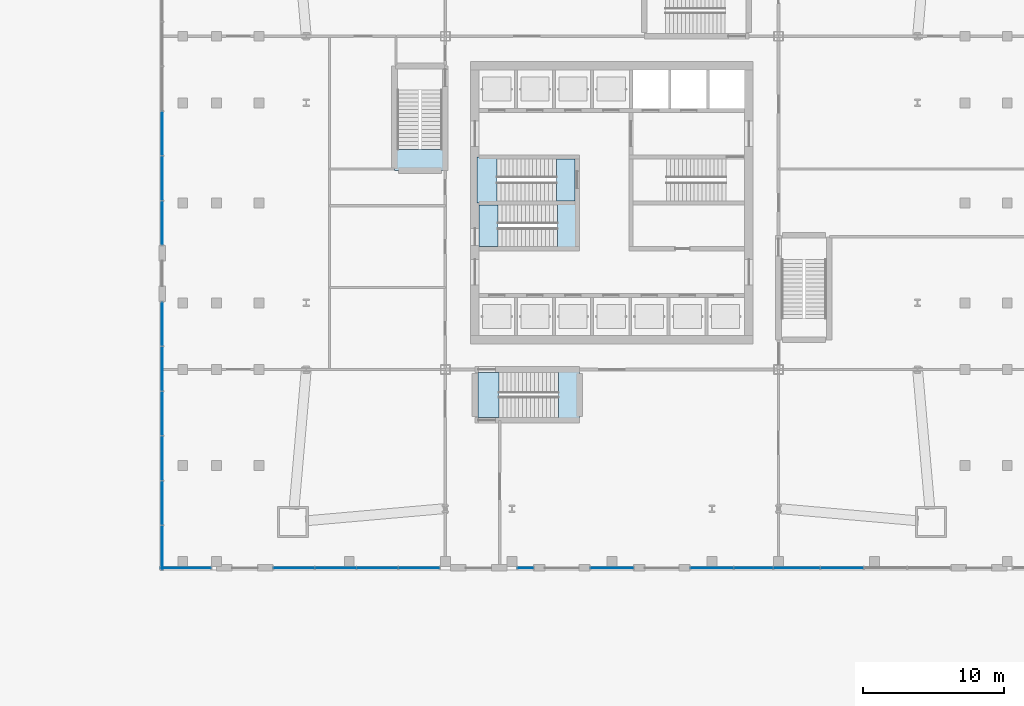
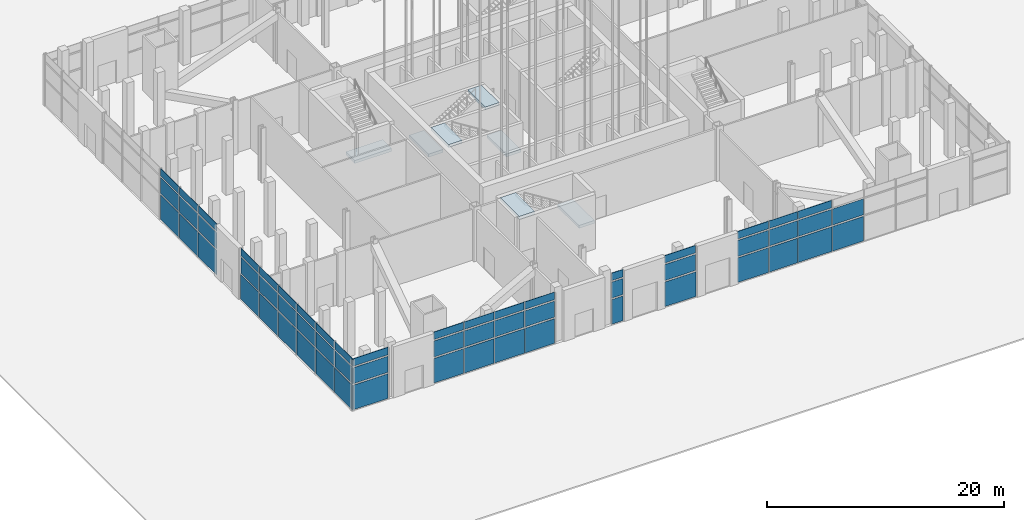
# One storey, part 9 of 27: 59 plates, 7 slabs, 11 elements without a shape of their own.
"""IFC4 building model written with IfcOpenShell, lengths in metres."""

from ifc_helpers import new_model, si_unit, direction, frame, origin, origin_2d, place, context, subcontext, project, spatial, polyline, rectangle, outline, extrude, material, layer, layer_set, type_object, element, aggregate, save


model = new_model("IFC4")

# Units and contexts
model_context = context("Model", 3, precision=1e-05, world=origin(), true_north=direction((0.0, 1.0)))
body_context = subcontext(model_context, "Body", "Model", "MODEL_VIEW")
ifc_project = project(units=[si_unit("LENGTHUNIT", "METRE"), si_unit("AREAUNIT", "SQUARE_METRE"), si_unit("VOLUMEUNIT", "CUBIC_METRE"), si_unit("PLANEANGLEUNIT", "RADIAN"), si_unit("MASSUNIT", "GRAM", prefix="KILO")], contexts=[model_context])

# Site, building, storey
site_placement = place(None, origin())
site = spatial("IfcSite", under=ifc_project, at=site_placement, CompositionType="ELEMENT")
building_placement = place(site_placement, origin())
building = spatial("IfcBuilding", under=site, at=building_placement, Name="Turquesa Mirador Hotel Tower", CompositionType="ELEMENT")
storey_placement = place(building_placement, origin())
storey = spatial("IfcBuildingStorey", under=building, at=storey_placement, Name="L00", CompositionType="ELEMENT", Elevation=0.0)

# Curtain wall, plate
ifc_material_1 = material(Name="Aluminium extrusion", Category="aluminium")
curtain_wall_type = type_object("IfcCurtainWallType", Name="CW-1 LOBBY CURTAIN WALL", PredefinedType="USERDEFINED", material=ifc_material_1)
curtain_wall_1_placement = place(storey_placement, origin())
curtain_wall_1 = element("IfcCurtainWall", 1, at=curtain_wall_1_placement, inside=storey, type_object=curtain_wall_type, Name="CW-1 LOBBY CURTAIN WALL L00", ObjectType="CURTAIN WALL", PredefinedType="USERDEFINED")
ifc_material_2 = material(Name="Ceramic-printed spandrel glass on an insulated back pan", Category="glass")
ifc_layer_1 = layer(ifc_material_2, 0.050048828125)
ifc_layer_set_1 = layer_set([ifc_layer_1], Name="CW PANEL SPANDREL CERAMIC")
plate_type_1 = type_object("IfcPlateType", Name="CW PANEL SPANDREL CERAMIC", PredefinedType="CURTAIN_PANEL", material=ifc_layer_set_1)
plate_1_placement = place(storey_placement, frame((24.807861328125, 19.14990234375, 0.0), z_axis=(0.0, 0.0, 1.0), x_axis=(1.0, 0.0, 0.0)))
plate_1 = element("IfcPlate", 2, at=plate_1_placement, type_object=plate_type_1, Name="Panel", PredefinedType="CURTAIN_PANEL", context=body_context, shape_type="SweptSolid", body=[
    extrude(rectangle(XDim=3.550537109375, YDim=0.050048828125, at=origin_2d()), origin(), (0.0, 0.0, 1.0), 2.52490234375),
])

# Curtain wall, plates
curtain_wall_2_placement = place(storey_placement, origin())
curtain_wall_2 = element("IfcCurtainWall", 3, at=curtain_wall_2_placement, inside=storey, type_object=curtain_wall_type, Name="CW-1 LOBBY CURTAIN WALL L00", ObjectType="CURTAIN WALL", PredefinedType="USERDEFINED")
plate_2_placement = place(storey_placement, frame((32.47705078125, 19.14990234375, 0.0), z_axis=(0.0, 0.0, 1.0), x_axis=(1.0, 0.0, 0.0)))
plate_2 = element("IfcPlate", 4, at=plate_2_placement, type_object=plate_type_1, Name="Panel", PredefinedType="CURTAIN_PANEL", context=body_context, shape_type="SweptSolid", body=[
    extrude(rectangle(XDim=2.888916015625, YDim=0.050048828125, at=origin_2d()), origin(), (0.0, 0.0, 1.0), 2.52490234375),
])
plate_3_placement = place(storey_placement, frame((35.430908203125, 19.14990234375, 0.0), z_axis=(0.0, 0.0, 1.0), x_axis=(1.0, 0.0, 0.0)))
plate_3 = element("IfcPlate", 5, at=plate_3_placement, type_object=plate_type_1, Name="Panel", PredefinedType="CURTAIN_PANEL", context=body_context, shape_type="SweptSolid", body=[
    extrude(rectangle(XDim=2.888916015625, YDim=0.050048828125, at=origin_2d()), origin(), (0.0, 0.0, 1.0), 2.52490234375),
])
plate_4_placement = place(storey_placement, frame((38.384765625, 19.14990234375, 0.0), z_axis=(0.0, 0.0, 1.0), x_axis=(1.0, 0.0, 0.0)))
plate_4 = element("IfcPlate", 6, at=plate_4_placement, type_object=plate_type_1, Name="Panel", PredefinedType="CURTAIN_PANEL", context=body_context, shape_type="SweptSolid", body=[
    extrude(rectangle(XDim=2.888916015625, YDim=0.050048828125, at=origin_2d()), origin(), (0.0, 0.0, 1.0), 2.52490234375),
])
plate_5_placement = place(storey_placement, frame((41.338623046875, 19.14990234375, 0.0), z_axis=(0.0, 0.0, 1.0), x_axis=(1.0, 0.0, 0.0)))
plate_5 = element("IfcPlate", 7, at=plate_5_placement, type_object=plate_type_1, Name="Panel", PredefinedType="CURTAIN_PANEL", context=body_context, shape_type="SweptSolid", body=[
    extrude(rectangle(XDim=2.888916015625, YDim=0.050048828125, at=origin_2d()), origin(), (0.0, 0.0, 1.0), 2.52490234375),
])

# Curtain wall, plate
curtain_wall_3_placement = place(storey_placement, origin())
curtain_wall_3 = element("IfcCurtainWall", 8, at=curtain_wall_3_placement, inside=storey, type_object=curtain_wall_type, Name="CW-1 LOBBY CURTAIN WALL L00", ObjectType="CURTAIN WALL", PredefinedType="USERDEFINED")
plate_6_placement = place(storey_placement, frame((48.88232421875, 19.14990234375, 0.0), z_axis=(0.0, 0.0, 1.0), x_axis=(1.0, 0.0, 0.0)))
plate_6 = element("IfcPlate", 9, at=plate_6_placement, type_object=plate_type_1, Name="Panel", PredefinedType="CURTAIN_PANEL", context=body_context, shape_type="SweptSolid", body=[
    extrude(rectangle(XDim=1.090576171875, YDim=0.050048828125, at=origin_2d()), origin(), (0.0, 0.0, 1.0), 2.52490234375),
])

curtain_wall_4_placement = place(storey_placement, origin())
curtain_wall_4 = element("IfcCurtainWall", 10, at=curtain_wall_4_placement, inside=storey, type_object=curtain_wall_type, Name="CW-1 LOBBY CURTAIN WALL L00", ObjectType="CURTAIN WALL", PredefinedType="USERDEFINED")
plate_7_placement = place(storey_placement, frame((55.0, 19.14990234375, 0.0), z_axis=(0.0, 0.0, 1.0), x_axis=(1.0, 0.0, 0.0)))
plate_7 = element("IfcPlate", 11, at=plate_7_placement, type_object=plate_type_1, Name="Panel", PredefinedType="CURTAIN_PANEL", context=body_context, shape_type="SweptSolid", body=[
    extrude(rectangle(XDim=3.014892578125, YDim=0.050048828125, at=origin_2d()), origin(), (0.0, 0.0, 1.0), 2.52490234375),
])

# Curtain wall, plates
curtain_wall_5_placement = place(storey_placement, origin())
curtain_wall_5 = element("IfcCurtainWall", 12, at=curtain_wall_5_placement, inside=storey, type_object=curtain_wall_type, Name="CW-1 LOBBY CURTAIN WALL L00", ObjectType="CURTAIN WALL", PredefinedType="USERDEFINED")
plate_8_placement = place(storey_placement, frame((62.078369140625, 19.14990234375, 0.0), z_axis=(0.0, 0.0, 1.0), x_axis=(1.0, 0.0, 0.0)))
plate_8 = element("IfcPlate", 13, at=plate_8_placement, type_object=plate_type_1, Name="Panel", PredefinedType="CURTAIN_PANEL", context=body_context, shape_type="SweptSolid", body=[
    extrude(rectangle(XDim=3.01171875, YDim=0.050048828125, at=origin_2d()), origin(), (0.0, 0.0, 1.0), 2.52490234375),
])
plate_9_placement = place(storey_placement, frame((65.01611328125, 19.14990234375, 0.0), z_axis=(0.0, 0.0, 1.0), x_axis=(1.0, 0.0, 0.0)))
plate_9 = element("IfcPlate", 14, at=plate_9_placement, type_object=plate_type_1, Name="Panel", PredefinedType="CURTAIN_PANEL", context=body_context, shape_type="SweptSolid", body=[
    extrude(rectangle(XDim=2.73388671875, YDim=0.050048828125, at=origin_2d()), origin(), (0.0, 0.0, 1.0), 2.52490234375),
])
plate_10_placement = place(storey_placement, frame((68.0927734375, 19.14990234375, 0.0), z_axis=(0.0, 0.0, 1.0), x_axis=(1.0, 0.0, 0.0)))
plate_10 = element("IfcPlate", 15, at=plate_10_placement, type_object=plate_type_1, Name="Panel", PredefinedType="CURTAIN_PANEL", context=body_context, shape_type="SweptSolid", body=[
    extrude(rectangle(XDim=3.28955078125, YDim=0.050048828125, at=origin_2d()), origin(), (0.0, 0.0, 1.0), 2.52490234375),
])
plate_11_placement = place(storey_placement, frame((71.308349609375, 19.14990234375, 0.0), z_axis=(0.0, 0.0, 1.0), x_axis=(1.0, 0.0, 0.0)))
plate_11 = element("IfcPlate", 16, at=plate_11_placement, type_object=plate_type_1, Name="Panel", PredefinedType="CURTAIN_PANEL", context=body_context, shape_type="SweptSolid", body=[
    extrude(rectangle(XDim=3.01171875, YDim=0.050048828125, at=origin_2d()), origin(), (0.0, 0.0, 1.0), 2.52490234375),
])

curtain_wall_6_placement = place(storey_placement, origin())
curtain_wall_6 = element("IfcCurtainWall", 17, at=curtain_wall_6_placement, inside=storey, type_object=curtain_wall_type, Name="CW-1 LOBBY CURTAIN WALL L00", ObjectType="CURTAIN WALL", PredefinedType="USERDEFINED")
plate_12_placement = place(storey_placement, frame((23.14990234375, 49.916748046875, 0.0), z_axis=(0.0, 0.0, 1.0), x_axis=(0.0, -1.0, 0.0)))
plate_12 = element("IfcPlate", 18, at=plate_12_placement, type_object=plate_type_1, Name="Panel", PredefinedType="CURTAIN_PANEL", context=body_context, shape_type="SweptSolid", body=[
    extrude(rectangle(XDim=3.1015625, YDim=0.050048828125, at=origin_2d()), origin(), (0.0, 0.0, 1.0), 2.52490234375),
])
plate_13_placement = place(storey_placement, frame((23.14990234375, 46.75, 0.0), z_axis=(0.0, 0.0, 1.0), x_axis=(0.0, -1.0, 0.0)))
plate_13 = element("IfcPlate", 19, at=plate_13_placement, type_object=plate_type_1, Name="Panel", PredefinedType="CURTAIN_PANEL", context=body_context, shape_type="SweptSolid", body=[
    extrude(rectangle(XDim=3.1015625, YDim=0.050048828125, at=origin_2d()), origin(), (0.0, 0.0, 1.0), 2.52490234375),
])
plate_14_placement = place(storey_placement, frame((23.14990234375, 43.583251953125, 0.0), z_axis=(0.0, 0.0, 1.0), x_axis=(0.0, -1.0, 0.0)))
plate_14 = element("IfcPlate", 20, at=plate_14_placement, type_object=plate_type_1, Name="Panel", PredefinedType="CURTAIN_PANEL", context=body_context, shape_type="SweptSolid", body=[
    extrude(rectangle(XDim=3.1015625, YDim=0.050048828125, at=origin_2d()), origin(), (0.0, 0.0, 1.0), 2.52490234375),
])

curtain_wall_7_placement = place(storey_placement, origin())
curtain_wall_7 = element("IfcCurtainWall", 21, at=curtain_wall_7_placement, inside=storey, type_object=curtain_wall_type, Name="CW-1 LOBBY CURTAIN WALL L00", ObjectType="CURTAIN WALL", PredefinedType="USERDEFINED")
plate_15_placement = place(storey_placement, frame((23.14990234375, 36.416748046875, 0.0), z_axis=(0.0, 0.0, 1.0), x_axis=(0.0, -1.0, 0.0)))
plate_15 = element("IfcPlate", 22, at=plate_15_placement, type_object=plate_type_1, Name="Panel", PredefinedType="CURTAIN_PANEL", context=body_context, shape_type="SweptSolid", body=[
    extrude(rectangle(XDim=3.1015625, YDim=0.050048828125, at=origin_2d()), origin(), (0.0, 0.0, 1.0), 2.52490234375),
])
plate_16_placement = place(storey_placement, frame((23.14990234375, 33.25, 0.0), z_axis=(0.0, 0.0, 1.0), x_axis=(0.0, -1.0, 0.0)))
plate_16 = element("IfcPlate", 23, at=plate_16_placement, type_object=plate_type_1, Name="Panel", PredefinedType="CURTAIN_PANEL", context=body_context, shape_type="SweptSolid", body=[
    extrude(rectangle(XDim=3.1015625, YDim=0.050048828125, at=origin_2d()), origin(), (0.0, 0.0, 1.0), 2.52490234375),
])
plate_17_placement = place(storey_placement, frame((23.14990234375, 30.083251953125, 0.0), z_axis=(0.0, 0.0, 1.0), x_axis=(0.0, -1.0, 0.0)))
plate_17 = element("IfcPlate", 24, at=plate_17_placement, type_object=plate_type_1, Name="Panel", PredefinedType="CURTAIN_PANEL", context=body_context, shape_type="SweptSolid", body=[
    extrude(rectangle(XDim=3.1015625, YDim=0.050048828125, at=origin_2d()), origin(), (0.0, 0.0, 1.0), 2.52490234375),
])
plate_18_placement = place(storey_placement, frame((23.14990234375, 26.916748046875, 0.0), z_axis=(0.0, 0.0, 1.0), x_axis=(0.0, -1.0, 0.0)))
plate_18 = element("IfcPlate", 25, at=plate_18_placement, type_object=plate_type_1, Name="Panel", PredefinedType="CURTAIN_PANEL", context=body_context, shape_type="SweptSolid", body=[
    extrude(rectangle(XDim=3.1015625, YDim=0.050048828125, at=origin_2d()), origin(), (0.0, 0.0, 1.0), 2.52490234375),
])
plate_19_placement = place(storey_placement, frame((23.14990234375, 23.75, 0.0), z_axis=(0.0, 0.0, 1.0), x_axis=(0.0, -1.0, 0.0)))
plate_19 = element("IfcPlate", 26, at=plate_19_placement, type_object=plate_type_1, Name="Panel", PredefinedType="CURTAIN_PANEL", context=body_context, shape_type="SweptSolid", body=[
    extrude(rectangle(XDim=3.1015625, YDim=0.050048828125, at=origin_2d()), origin(), (0.0, 0.0, 1.0), 2.52490234375),
])
plate_20_placement = place(storey_placement, frame((23.14990234375, 20.583251953125, 0.0), z_axis=(0.0, 0.0, 1.0), x_axis=(0.0, -1.0, 0.0)))
plate_20 = element("IfcPlate", 27, at=plate_20_placement, type_object=plate_type_1, Name="Panel", PredefinedType="CURTAIN_PANEL", context=body_context, shape_type="SweptSolid", body=[
    extrude(rectangle(XDim=3.1015625, YDim=0.050048828125, at=origin_2d()), origin(), (0.0, 0.0, 1.0), 2.52490234375),
])

# Plate
ifc_material_3 = material(Name="Ceramic-fritted laminated glass", Category="glass")
ifc_layer_2 = layer(ifc_material_3, 0.031982421875)
ifc_layer_set_2 = layer_set([ifc_layer_2], Name="CW PANEL VISION FRITTED")
plate_type_2 = type_object("IfcPlateType", Name="CW PANEL VISION FRITTED", PredefinedType="CURTAIN_PANEL", material=ifc_layer_set_2)
plate_21_placement = place(storey_placement, frame((24.807861328125, 19.14990234375, 2.675048828125), z_axis=(0.0, 0.0, 1.0), x_axis=(1.0, 0.0, 0.0)))
plate_21 = element("IfcPlate", 28, at=plate_21_placement, type_object=plate_type_2, Name="Panel", PredefinedType="CURTAIN_PANEL", context=body_context, shape_type="SweptSolid", body=[
    extrude(rectangle(XDim=3.550537109375, YDim=0.031982421875, at=origin_2d()), origin(), (0.0, 0.0, 1.0), 1.64990234375),
])

plate_22_placement = place(storey_placement, frame((24.807861328125, 19.14990234375, 4.47509765625), z_axis=(0.0, 0.0, 1.0), x_axis=(1.0, 0.0, 0.0)))
plate_22 = element("IfcPlate", 29, at=plate_22_placement, type_object=plate_type_2, Name="Panel", PredefinedType="CURTAIN_PANEL", context=body_context, shape_type="SweptSolid", body=[
    extrude(rectangle(XDim=3.550537109375, YDim=0.031982421875, at=origin_2d()), origin(), (0.0, 0.0, 1.0), 0.77490234375),
])

aggregate(curtain_wall_1, [plate_1, plate_21, plate_22])

plate_23_placement = place(storey_placement, frame((32.47705078125, 19.14990234375, 2.675048828125), z_axis=(0.0, 0.0, 1.0), x_axis=(1.0, 0.0, 0.0)))
plate_23 = element("IfcPlate", 30, at=plate_23_placement, type_object=plate_type_2, Name="Panel", PredefinedType="CURTAIN_PANEL", context=body_context, shape_type="SweptSolid", body=[
    extrude(rectangle(XDim=2.888916015625, YDim=0.031982421875, at=origin_2d()), origin(), (0.0, 0.0, 1.0), 1.64990234375),
])

plate_24_placement = place(storey_placement, frame((32.47705078125, 19.14990234375, 4.47509765625), z_axis=(0.0, 0.0, 1.0), x_axis=(1.0, 0.0, 0.0)))
plate_24 = element("IfcPlate", 31, at=plate_24_placement, type_object=plate_type_2, Name="Panel", PredefinedType="CURTAIN_PANEL", context=body_context, shape_type="SweptSolid", body=[
    extrude(rectangle(XDim=2.888916015625, YDim=0.031982421875, at=origin_2d()), origin(), (0.0, 0.0, 1.0), 0.77490234375),
])

plate_25_placement = place(storey_placement, frame((35.430908203125, 19.14990234375, 2.675048828125), z_axis=(0.0, 0.0, 1.0), x_axis=(1.0, 0.0, 0.0)))
plate_25 = element("IfcPlate", 32, at=plate_25_placement, type_object=plate_type_2, Name="Panel", PredefinedType="CURTAIN_PANEL", context=body_context, shape_type="SweptSolid", body=[
    extrude(rectangle(XDim=2.888916015625, YDim=0.031982421875, at=origin_2d()), origin(), (0.0, 0.0, 1.0), 1.64990234375),
])

plate_26_placement = place(storey_placement, frame((35.430908203125, 19.14990234375, 4.47509765625), z_axis=(0.0, 0.0, 1.0), x_axis=(1.0, 0.0, 0.0)))
plate_26 = element("IfcPlate", 33, at=plate_26_placement, type_object=plate_type_2, Name="Panel", PredefinedType="CURTAIN_PANEL", context=body_context, shape_type="SweptSolid", body=[
    extrude(rectangle(XDim=2.888916015625, YDim=0.031982421875, at=origin_2d()), origin(), (0.0, 0.0, 1.0), 0.77490234375),
])

plate_27_placement = place(storey_placement, frame((38.384765625, 19.14990234375, 2.675048828125), z_axis=(0.0, 0.0, 1.0), x_axis=(1.0, 0.0, 0.0)))
plate_27 = element("IfcPlate", 34, at=plate_27_placement, type_object=plate_type_2, Name="Panel", PredefinedType="CURTAIN_PANEL", context=body_context, shape_type="SweptSolid", body=[
    extrude(rectangle(XDim=2.888916015625, YDim=0.031982421875, at=origin_2d()), origin(), (0.0, 0.0, 1.0), 1.64990234375),
])

plate_28_placement = place(storey_placement, frame((38.384765625, 19.14990234375, 4.47509765625), z_axis=(0.0, 0.0, 1.0), x_axis=(1.0, 0.0, 0.0)))
plate_28 = element("IfcPlate", 35, at=plate_28_placement, type_object=plate_type_2, Name="Panel", PredefinedType="CURTAIN_PANEL", context=body_context, shape_type="SweptSolid", body=[
    extrude(rectangle(XDim=2.888916015625, YDim=0.031982421875, at=origin_2d()), origin(), (0.0, 0.0, 1.0), 0.77490234375),
])

plate_29_placement = place(storey_placement, frame((41.338623046875, 19.14990234375, 2.675048828125), z_axis=(0.0, 0.0, 1.0), x_axis=(1.0, 0.0, 0.0)))
plate_29 = element("IfcPlate", 36, at=plate_29_placement, type_object=plate_type_2, Name="Panel", PredefinedType="CURTAIN_PANEL", context=body_context, shape_type="SweptSolid", body=[
    extrude(rectangle(XDim=2.888916015625, YDim=0.031982421875, at=origin_2d()), origin(), (0.0, 0.0, 1.0), 1.64990234375),
])

plate_30_placement = place(storey_placement, frame((41.338623046875, 19.14990234375, 4.47509765625), z_axis=(0.0, 0.0, 1.0), x_axis=(1.0, 0.0, 0.0)))
plate_30 = element("IfcPlate", 37, at=plate_30_placement, type_object=plate_type_2, Name="Panel", PredefinedType="CURTAIN_PANEL", context=body_context, shape_type="SweptSolid", body=[
    extrude(rectangle(XDim=2.888916015625, YDim=0.031982421875, at=origin_2d()), origin(), (0.0, 0.0, 1.0), 0.77490234375),
])

aggregate(curtain_wall_2, [plate_2, plate_23, plate_24, plate_3, plate_25, plate_26, plate_4, plate_27, plate_28, plate_5, plate_29, plate_30])

plate_31_placement = place(storey_placement, frame((48.88232421875, 19.14990234375, 2.675048828125), z_axis=(0.0, 0.0, 1.0), x_axis=(1.0, 0.0, 0.0)))
plate_31 = element("IfcPlate", 38, at=plate_31_placement, type_object=plate_type_2, Name="Panel", PredefinedType="CURTAIN_PANEL", context=body_context, shape_type="SweptSolid", body=[
    extrude(rectangle(XDim=1.090576171875, YDim=0.031982421875, at=origin_2d()), origin(), (0.0, 0.0, 1.0), 1.64990234375),
])

plate_32_placement = place(storey_placement, frame((48.88232421875, 19.14990234375, 4.47509765625), z_axis=(0.0, 0.0, 1.0), x_axis=(1.0, 0.0, 0.0)))
plate_32 = element("IfcPlate", 39, at=plate_32_placement, type_object=plate_type_2, Name="Panel", PredefinedType="CURTAIN_PANEL", context=body_context, shape_type="SweptSolid", body=[
    extrude(rectangle(XDim=1.090576171875, YDim=0.031982421875, at=origin_2d()), origin(), (0.0, 0.0, 1.0), 0.77490234375),
])

aggregate(curtain_wall_3, [plate_6, plate_31, plate_32])

plate_33_placement = place(storey_placement, frame((55.0, 19.14990234375, 2.675048828125), z_axis=(0.0, 0.0, 1.0), x_axis=(1.0, 0.0, 0.0)))
plate_33 = element("IfcPlate", 40, at=plate_33_placement, type_object=plate_type_2, Name="Panel", PredefinedType="CURTAIN_PANEL", context=body_context, shape_type="SweptSolid", body=[
    extrude(rectangle(XDim=3.014892578125, YDim=0.031982421875, at=origin_2d()), origin(), (0.0, 0.0, 1.0), 1.64990234375),
])

plate_34_placement = place(storey_placement, frame((55.0, 19.14990234375, 4.47509765625), z_axis=(0.0, 0.0, 1.0), x_axis=(1.0, 0.0, 0.0)))
plate_34 = element("IfcPlate", 41, at=plate_34_placement, type_object=plate_type_2, Name="Panel", PredefinedType="CURTAIN_PANEL", context=body_context, shape_type="SweptSolid", body=[
    extrude(rectangle(XDim=3.014892578125, YDim=0.031982421875, at=origin_2d()), origin(), (0.0, 0.0, 1.0), 0.77490234375),
])

aggregate(curtain_wall_4, [plate_7, plate_33, plate_34])

plate_35_placement = place(storey_placement, frame((62.078369140625, 19.14990234375, 2.675048828125), z_axis=(0.0, 0.0, 1.0), x_axis=(1.0, 0.0, 0.0)))
plate_35 = element("IfcPlate", 42, at=plate_35_placement, type_object=plate_type_2, Name="Panel", PredefinedType="CURTAIN_PANEL", context=body_context, shape_type="SweptSolid", body=[
    extrude(rectangle(XDim=3.01171875, YDim=0.031982421875, at=origin_2d()), origin(), (0.0, 0.0, 1.0), 1.64990234375),
])

plate_36_placement = place(storey_placement, frame((62.078369140625, 19.14990234375, 4.47509765625), z_axis=(0.0, 0.0, 1.0), x_axis=(1.0, 0.0, 0.0)))
plate_36 = element("IfcPlate", 43, at=plate_36_placement, type_object=plate_type_2, Name="Panel", PredefinedType="CURTAIN_PANEL", context=body_context, shape_type="SweptSolid", body=[
    extrude(rectangle(XDim=3.01171875, YDim=0.031982421875, at=origin_2d()), origin(), (0.0, 0.0, 1.0), 0.77490234375),
])

plate_37_placement = place(storey_placement, frame((65.01611328125, 19.14990234375, 2.675048828125), z_axis=(0.0, 0.0, 1.0), x_axis=(1.0, 0.0, 0.0)))
plate_37 = element("IfcPlate", 44, at=plate_37_placement, type_object=plate_type_2, Name="Panel", PredefinedType="CURTAIN_PANEL", context=body_context, shape_type="SweptSolid", body=[
    extrude(rectangle(XDim=2.73388671875, YDim=0.031982421875, at=origin_2d()), origin(), (0.0, 0.0, 1.0), 1.64990234375),
])

plate_38_placement = place(storey_placement, frame((65.01611328125, 19.14990234375, 4.47509765625), z_axis=(0.0, 0.0, 1.0), x_axis=(1.0, 0.0, 0.0)))
plate_38 = element("IfcPlate", 45, at=plate_38_placement, type_object=plate_type_2, Name="Panel", PredefinedType="CURTAIN_PANEL", context=body_context, shape_type="SweptSolid", body=[
    extrude(rectangle(XDim=2.73388671875, YDim=0.031982421875, at=origin_2d()), origin(), (0.0, 0.0, 1.0), 0.77490234375),
])

plate_39_placement = place(storey_placement, frame((68.0927734375, 19.14990234375, 2.675048828125), z_axis=(0.0, 0.0, 1.0), x_axis=(1.0, 0.0, 0.0)))
plate_39 = element("IfcPlate", 46, at=plate_39_placement, type_object=plate_type_2, Name="Panel", PredefinedType="CURTAIN_PANEL", context=body_context, shape_type="SweptSolid", body=[
    extrude(rectangle(XDim=3.28955078125, YDim=0.031982421875, at=origin_2d()), origin(), (0.0, 0.0, 1.0), 1.64990234375),
])

plate_40_placement = place(storey_placement, frame((68.0927734375, 19.14990234375, 4.47509765625), z_axis=(0.0, 0.0, 1.0), x_axis=(1.0, 0.0, 0.0)))
plate_40 = element("IfcPlate", 47, at=plate_40_placement, type_object=plate_type_2, Name="Panel", PredefinedType="CURTAIN_PANEL", context=body_context, shape_type="SweptSolid", body=[
    extrude(rectangle(XDim=3.28955078125, YDim=0.031982421875, at=origin_2d()), origin(), (0.0, 0.0, 1.0), 0.77490234375),
])

plate_41_placement = place(storey_placement, frame((71.308349609375, 19.14990234375, 2.675048828125), z_axis=(0.0, 0.0, 1.0), x_axis=(1.0, 0.0, 0.0)))
plate_41 = element("IfcPlate", 48, at=plate_41_placement, type_object=plate_type_2, Name="Panel", PredefinedType="CURTAIN_PANEL", context=body_context, shape_type="SweptSolid", body=[
    extrude(rectangle(XDim=3.01171875, YDim=0.031982421875, at=origin_2d()), origin(), (0.0, 0.0, 1.0), 1.64990234375),
])

aggregate(curtain_wall_5, [plate_8, plate_35, plate_36, plate_9, plate_37, plate_38, plate_10, plate_39, plate_40, plate_11, plate_41])

plate_42_placement = place(storey_placement, frame((23.14990234375, 49.916748046875, 2.675048828125), z_axis=(0.0, 0.0, 1.0), x_axis=(0.0, -1.0, 0.0)))
plate_42 = element("IfcPlate", 49, at=plate_42_placement, type_object=plate_type_2, Name="Panel", PredefinedType="CURTAIN_PANEL", context=body_context, shape_type="SweptSolid", body=[
    extrude(rectangle(XDim=3.1015625, YDim=0.031982421875, at=origin_2d()), origin(), (0.0, 0.0, 1.0), 1.64990234375),
])

plate_43_placement = place(storey_placement, frame((23.14990234375, 49.916748046875, 4.47509765625), z_axis=(0.0, 0.0, 1.0), x_axis=(0.0, -1.0, 0.0)))
plate_43 = element("IfcPlate", 50, at=plate_43_placement, type_object=plate_type_2, Name="Panel", PredefinedType="CURTAIN_PANEL", context=body_context, shape_type="SweptSolid", body=[
    extrude(rectangle(XDim=3.1015625, YDim=0.031982421875, at=origin_2d()), origin(), (0.0, 0.0, 1.0), 0.77490234375),
])

plate_44_placement = place(storey_placement, frame((23.14990234375, 46.75, 2.675048828125), z_axis=(0.0, 0.0, 1.0), x_axis=(0.0, -1.0, 0.0)))
plate_44 = element("IfcPlate", 51, at=plate_44_placement, type_object=plate_type_2, Name="Panel", PredefinedType="CURTAIN_PANEL", context=body_context, shape_type="SweptSolid", body=[
    extrude(rectangle(XDim=3.1015625, YDim=0.031982421875, at=origin_2d()), origin(), (0.0, 0.0, 1.0), 1.64990234375),
])

plate_45_placement = place(storey_placement, frame((23.14990234375, 46.75, 4.47509765625), z_axis=(0.0, 0.0, 1.0), x_axis=(0.0, -1.0, 0.0)))
plate_45 = element("IfcPlate", 52, at=plate_45_placement, type_object=plate_type_2, Name="Panel", PredefinedType="CURTAIN_PANEL", context=body_context, shape_type="SweptSolid", body=[
    extrude(rectangle(XDim=3.1015625, YDim=0.031982421875, at=origin_2d()), origin(), (0.0, 0.0, 1.0), 0.77490234375),
])

plate_46_placement = place(storey_placement, frame((23.14990234375, 43.583251953125, 2.675048828125), z_axis=(0.0, 0.0, 1.0), x_axis=(0.0, -1.0, 0.0)))
plate_46 = element("IfcPlate", 53, at=plate_46_placement, type_object=plate_type_2, Name="Panel", PredefinedType="CURTAIN_PANEL", context=body_context, shape_type="SweptSolid", body=[
    extrude(rectangle(XDim=3.1015625, YDim=0.031982421875, at=origin_2d()), origin(), (0.0, 0.0, 1.0), 1.64990234375),
])

plate_47_placement = place(storey_placement, frame((23.14990234375, 43.583251953125, 4.47509765625), z_axis=(0.0, 0.0, 1.0), x_axis=(0.0, -1.0, 0.0)))
plate_47 = element("IfcPlate", 54, at=plate_47_placement, type_object=plate_type_2, Name="Panel", PredefinedType="CURTAIN_PANEL", context=body_context, shape_type="SweptSolid", body=[
    extrude(rectangle(XDim=3.1015625, YDim=0.031982421875, at=origin_2d()), origin(), (0.0, 0.0, 1.0), 0.77490234375),
])

aggregate(curtain_wall_6, [plate_12, plate_42, plate_43, plate_13, plate_44, plate_45, plate_14, plate_46, plate_47])

plate_48_placement = place(storey_placement, frame((23.14990234375, 36.416748046875, 2.675048828125), z_axis=(0.0, 0.0, 1.0), x_axis=(0.0, -1.0, 0.0)))
plate_48 = element("IfcPlate", 55, at=plate_48_placement, type_object=plate_type_2, Name="Panel", PredefinedType="CURTAIN_PANEL", context=body_context, shape_type="SweptSolid", body=[
    extrude(rectangle(XDim=3.1015625, YDim=0.031982421875, at=origin_2d()), origin(), (0.0, 0.0, 1.0), 1.64990234375),
])

plate_49_placement = place(storey_placement, frame((23.14990234375, 36.416748046875, 4.47509765625), z_axis=(0.0, 0.0, 1.0), x_axis=(0.0, -1.0, 0.0)))
plate_49 = element("IfcPlate", 56, at=plate_49_placement, type_object=plate_type_2, Name="Panel", PredefinedType="CURTAIN_PANEL", context=body_context, shape_type="SweptSolid", body=[
    extrude(rectangle(XDim=3.1015625, YDim=0.031982421875, at=origin_2d()), origin(), (0.0, 0.0, 1.0), 0.77490234375),
])

plate_50_placement = place(storey_placement, frame((23.14990234375, 33.25, 2.675048828125), z_axis=(0.0, 0.0, 1.0), x_axis=(0.0, -1.0, 0.0)))
plate_50 = element("IfcPlate", 57, at=plate_50_placement, type_object=plate_type_2, Name="Panel", PredefinedType="CURTAIN_PANEL", context=body_context, shape_type="SweptSolid", body=[
    extrude(rectangle(XDim=3.1015625, YDim=0.031982421875, at=origin_2d()), origin(), (0.0, 0.0, 1.0), 1.64990234375),
])

plate_51_placement = place(storey_placement, frame((23.14990234375, 33.25, 4.47509765625), z_axis=(0.0, 0.0, 1.0), x_axis=(0.0, -1.0, 0.0)))
plate_51 = element("IfcPlate", 58, at=plate_51_placement, type_object=plate_type_2, Name="Panel", PredefinedType="CURTAIN_PANEL", context=body_context, shape_type="SweptSolid", body=[
    extrude(rectangle(XDim=3.1015625, YDim=0.031982421875, at=origin_2d()), origin(), (0.0, 0.0, 1.0), 0.77490234375),
])

plate_52_placement = place(storey_placement, frame((23.14990234375, 30.083251953125, 2.675048828125), z_axis=(0.0, 0.0, 1.0), x_axis=(0.0, -1.0, 0.0)))
plate_52 = element("IfcPlate", 59, at=plate_52_placement, type_object=plate_type_2, Name="Panel", PredefinedType="CURTAIN_PANEL", context=body_context, shape_type="SweptSolid", body=[
    extrude(rectangle(XDim=3.1015625, YDim=0.031982421875, at=origin_2d()), origin(), (0.0, 0.0, 1.0), 1.64990234375),
])

plate_53_placement = place(storey_placement, frame((23.14990234375, 30.083251953125, 4.47509765625), z_axis=(0.0, 0.0, 1.0), x_axis=(0.0, -1.0, 0.0)))
plate_53 = element("IfcPlate", 60, at=plate_53_placement, type_object=plate_type_2, Name="Panel", PredefinedType="CURTAIN_PANEL", context=body_context, shape_type="SweptSolid", body=[
    extrude(rectangle(XDim=3.1015625, YDim=0.031982421875, at=origin_2d()), origin(), (0.0, 0.0, 1.0), 0.77490234375),
])

plate_54_placement = place(storey_placement, frame((23.14990234375, 26.916748046875, 2.675048828125), z_axis=(0.0, 0.0, 1.0), x_axis=(0.0, -1.0, 0.0)))
plate_54 = element("IfcPlate", 61, at=plate_54_placement, type_object=plate_type_2, Name="Panel", PredefinedType="CURTAIN_PANEL", context=body_context, shape_type="SweptSolid", body=[
    extrude(rectangle(XDim=3.1015625, YDim=0.031982421875, at=origin_2d()), origin(), (0.0, 0.0, 1.0), 1.64990234375),
])

plate_55_placement = place(storey_placement, frame((23.14990234375, 26.916748046875, 4.47509765625), z_axis=(0.0, 0.0, 1.0), x_axis=(0.0, -1.0, 0.0)))
plate_55 = element("IfcPlate", 62, at=plate_55_placement, type_object=plate_type_2, Name="Panel", PredefinedType="CURTAIN_PANEL", context=body_context, shape_type="SweptSolid", body=[
    extrude(rectangle(XDim=3.1015625, YDim=0.031982421875, at=origin_2d()), origin(), (0.0, 0.0, 1.0), 0.77490234375),
])

plate_56_placement = place(storey_placement, frame((23.14990234375, 23.75, 2.675048828125), z_axis=(0.0, 0.0, 1.0), x_axis=(0.0, -1.0, 0.0)))
plate_56 = element("IfcPlate", 63, at=plate_56_placement, type_object=plate_type_2, Name="Panel", PredefinedType="CURTAIN_PANEL", context=body_context, shape_type="SweptSolid", body=[
    extrude(rectangle(XDim=3.1015625, YDim=0.031982421875, at=origin_2d()), origin(), (0.0, 0.0, 1.0), 1.64990234375),
])

plate_57_placement = place(storey_placement, frame((23.14990234375, 23.75, 4.47509765625), z_axis=(0.0, 0.0, 1.0), x_axis=(0.0, -1.0, 0.0)))
plate_57 = element("IfcPlate", 64, at=plate_57_placement, type_object=plate_type_2, Name="Panel", PredefinedType="CURTAIN_PANEL", context=body_context, shape_type="SweptSolid", body=[
    extrude(rectangle(XDim=3.1015625, YDim=0.031982421875, at=origin_2d()), origin(), (0.0, 0.0, 1.0), 0.77490234375),
])

plate_58_placement = place(storey_placement, frame((23.14990234375, 20.583251953125, 2.675048828125), z_axis=(0.0, 0.0, 1.0), x_axis=(0.0, -1.0, 0.0)))
plate_58 = element("IfcPlate", 65, at=plate_58_placement, type_object=plate_type_2, Name="Panel", PredefinedType="CURTAIN_PANEL", context=body_context, shape_type="SweptSolid", body=[
    extrude(rectangle(XDim=3.1015625, YDim=0.031982421875, at=origin_2d()), origin(), (0.0, 0.0, 1.0), 1.64990234375),
])

plate_59_placement = place(storey_placement, frame((23.14990234375, 20.583251953125, 4.47509765625), z_axis=(0.0, 0.0, 1.0), x_axis=(0.0, -1.0, 0.0)))
plate_59 = element("IfcPlate", 66, at=plate_59_placement, type_object=plate_type_2, Name="Panel", PredefinedType="CURTAIN_PANEL", context=body_context, shape_type="SweptSolid", body=[
    extrude(rectangle(XDim=3.1015625, YDim=0.031982421875, at=origin_2d()), origin(), (0.0, 0.0, 1.0), 0.77490234375),
])

aggregate(curtain_wall_7, [plate_15, plate_48, plate_49, plate_16, plate_50, plate_51, plate_17, plate_52, plate_53, plate_18, plate_54, plate_55, plate_19, plate_56, plate_57, plate_20, plate_58, plate_59])

# Stair, slabs
ifc_material_4 = material(Name="Concrete C35/45", Category="concrete")
stair_type_1 = type_object("IfcStairType", Name="ESCAPE STAIR CORE", PredefinedType="HALF_TURN_STAIR", material=ifc_material_4)
stair_1_placement = place(storey_placement, origin())
stair_1 = element("IfcStair", 67, at=stair_1_placement, inside=storey, type_object=stair_type_1, Name="Stair ST1 L00 to L01", PredefinedType="HALF_TURN_STAIR")
ifc_material_5 = material(Name="Concrete C35/45", Category="concrete")
ifc_layer_3 = layer(ifc_material_5, 0.300048828125)
ifc_layer_set_3 = layer_set([ifc_layer_3], Name="STAIR LANDING 300")
slab_type = type_object("IfcSlabType", Name="STAIR LANDING 300", PredefinedType="LANDING", material=ifc_layer_set_3)
slab_1_placement = place(storey_placement, frame((0.0, 0.0, 2.5)))
slab_1 = element("IfcSlab", 68, at=slab_1_placement, type_object=slab_type, Name="ST1 landing 1", PredefinedType="LANDING", context=body_context, shape_type="SweptSolid", body=[
    extrude(outline(polyline([(45.449951171875, 45.0), (46.8701171875, 45.0), (46.8701171875, 48.25), (45.449951171875, 48.25), (45.449951171875, 45.0)])), origin(), (0.0, 0.0, 1.0), 0.300048828125),
])
slab_2_placement = place(storey_placement, frame((0.0, 0.0, 5.300048828125)))
slab_2 = element("IfcSlab", 69, at=slab_2_placement, type_object=slab_type, Name="ST1 landing 2", PredefinedType="LANDING", context=body_context, shape_type="SweptSolid", body=[
    extrude(outline(polyline([(51.070068359375, 45.14990234375), (52.39990234375, 45.14990234375), (52.39990234375, 48.10009765625), (51.070068359375, 48.10009765625), (51.070068359375, 45.14990234375)])), origin(), (0.0, 0.0, 1.0), 0.300048828125),
])
aggregate(stair_1, [slab_1, slab_2])

stair_2_placement = place(storey_placement, origin())
stair_2 = element("IfcStair", 70, at=stair_2_placement, inside=storey, type_object=stair_type_1, Name="Stair ST2 L00 to L01", PredefinedType="HALF_TURN_STAIR")
slab_3_placement = place(storey_placement, frame((0.0, 0.0, 2.5)))
slab_3 = element("IfcSlab", 71, at=slab_3_placement, type_object=slab_type, Name="ST2 landing 1", PredefinedType="LANDING", context=body_context, shape_type="SweptSolid", body=[
    extrude(outline(polyline([(52.550048828125, 45.0), (51.1298828125, 45.0), (51.1298828125, 41.75), (52.550048828125, 41.75), (52.550048828125, 45.0)])), origin(), (0.0, 0.0, 1.0), 0.300048828125),
])
slab_4_placement = place(storey_placement, frame((0.0, 0.0, 5.300048828125)))
slab_4 = element("IfcSlab", 72, at=slab_4_placement, type_object=slab_type, Name="ST2 landing 2", PredefinedType="LANDING", context=body_context, shape_type="SweptSolid", body=[
    extrude(outline(polyline([(46.929931640625, 44.85009765625), (45.60009765625, 44.85009765625), (45.60009765625, 41.89990234375), (46.929931640625, 41.89990234375), (46.929931640625, 44.85009765625)])), origin(), (0.0, 0.0, 1.0), 0.300048828125),
])
aggregate(stair_2, [slab_3, slab_4])

ifc_material_6 = material(Name="Concrete C35/45", Category="concrete")
stair_type_2 = type_object("IfcStairType", Name="ESCAPE STAIR PODIUM", PredefinedType="HALF_TURN_STAIR", material=ifc_material_6)
stair_3_placement = place(storey_placement, origin())
stair_3 = element("IfcStair", 73, at=stair_3_placement, inside=storey, type_object=stair_type_2, Name="Stair PS2 L00 to L01", PredefinedType="HALF_TURN_STAIR")
slab_5_placement = place(storey_placement, frame((0.0, 0.0, 2.5)))
slab_5 = element("IfcSlab", 74, at=slab_5_placement, type_object=slab_type, Name="PS2 landing 1", PredefinedType="LANDING", context=body_context, shape_type="SweptSolid", body=[
    extrude(outline(polyline([(52.699951171875, 33.199951171875), (51.199951171875, 33.199951171875), (51.199951171875, 29.60009765625), (52.699951171875, 29.60009765625), (52.699951171875, 33.199951171875)])), origin(), (0.0, 0.0, 1.0), 0.300048828125),
])
slab_6_placement = place(storey_placement, frame((0.0, 0.0, 5.300048828125)))
slab_6 = element("IfcSlab", 75, at=slab_6_placement, type_object=slab_type, Name="PS2 landing 2", PredefinedType="LANDING", context=body_context, shape_type="SweptSolid", body=[
    extrude(outline(polyline([(47.0, 33.0), (45.5, 33.0), (45.5, 29.800048828125), (47.0, 29.800048828125), (47.0, 33.0)])), origin(), (0.0, 0.0, 1.0), 0.300048828125),
])
aggregate(stair_3, [slab_5, slab_6])

# Stair, slab
stair_4_placement = place(storey_placement, origin())
stair_4 = element("IfcStair", 76, at=stair_4_placement, inside=storey, type_object=stair_type_2, Name="Stair PS4 L00 to L01", PredefinedType="HALF_TURN_STAIR")
slab_7_placement = place(storey_placement, frame((0.0, 0.0, 2.5)))
slab_7 = element("IfcSlab", 77, at=slab_7_placement, type_object=slab_type, Name="PS4 landing 1", PredefinedType="LANDING", context=body_context, shape_type="SweptSolid", body=[
    extrude(outline(polyline([(39.60009765625, 47.300048828125), (43.199951171875, 47.300048828125), (43.199951171875, 48.800048828125), (39.60009765625, 48.800048828125), (39.60009765625, 47.300048828125)])), origin(), (0.0, 0.0, 1.0), 0.300048828125),
])
aggregate(stair_4, [slab_7])

save(model, "model.ifc")
